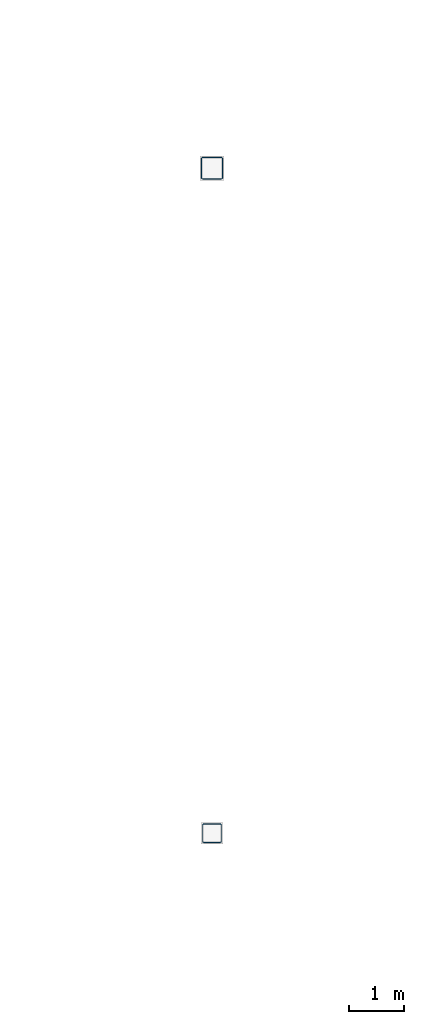
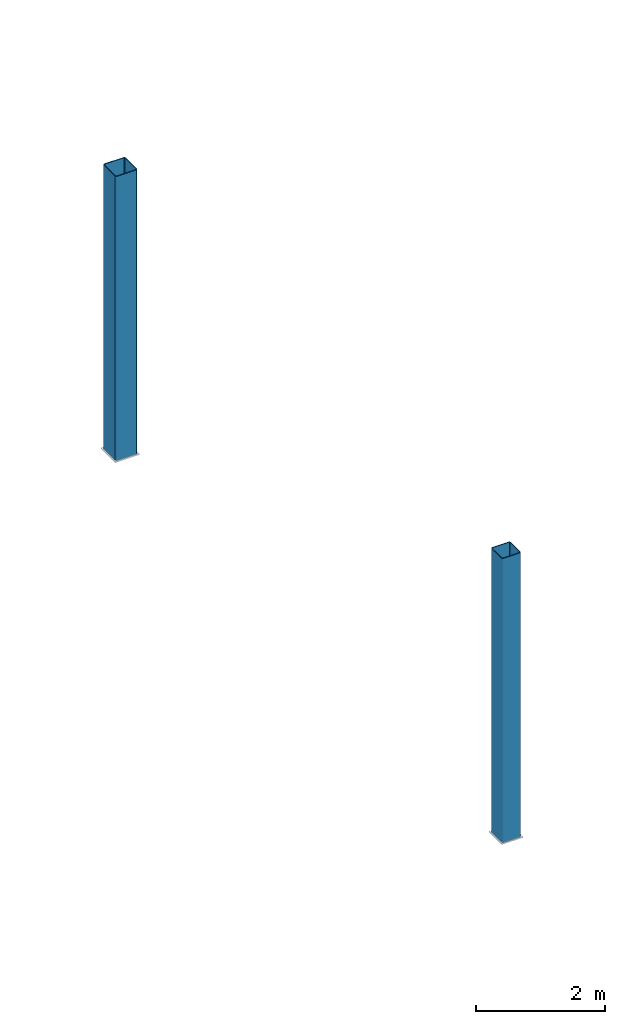
# One storey, part 8 of 76: 2 columns.
"""IFC4 building model written with IfcOpenShell, lengths in metres."""

from ifc_helpers import new_model, si_unit, direction, frame, origin, origin_2d, place, context, subcontext, project, spatial, hollow_rectangle, extrude, material, material_profile, profile_set, type_object, element, save


model = new_model("IFC4")

# Units and contexts
model_context = context("Model", 3, precision=1e-05, world=origin(), true_north=direction((0.0, 1.0)))
body_context = subcontext(model_context, "Body", "Model", "MODEL_VIEW")
ifc_project = project(units=[si_unit("LENGTHUNIT", "METRE"), si_unit("AREAUNIT", "SQUARE_METRE"), si_unit("VOLUMEUNIT", "CUBIC_METRE"), si_unit("PLANEANGLEUNIT", "RADIAN"), si_unit("MASSUNIT", "GRAM", prefix="KILO")], contexts=[model_context])

# Site, building, storey
site_placement = place(None, origin())
site = spatial("IfcSite", under=ifc_project, at=site_placement, CompositionType="ELEMENT")
building_placement = place(site_placement, origin())
building = spatial("IfcBuilding", under=site, at=building_placement, Name="Kazenohara Klinker Stadium", CompositionType="ELEMENT")
storey_placement = place(building_placement, frame((0.0, 0.0, 25.800048828125)))
storey = spatial("IfcBuildingStorey", under=building, at=storey_placement, Name="L05", CompositionType="ELEMENT", Elevation=25.800048828125)

# Columns
ifc_material = material(Name="Steel S355", Category="steel")
ifc_material_profile_1 = material_profile(ifc_material, hollow_rectangle(XDim=0.39990234375, YDim=0.39990234375, WallThickness=0.01611328125, InnerFilletRadius=0.01611328125, OuterFilletRadius=0.031982421875, at=origin_2d()), Name="SHS-400x400x16")
ifc_profile_set_1 = profile_set([ifc_material_profile_1], Name="Steel S355")
column_type_1 = type_object("IfcColumnType", Name="COL-ST01", PredefinedType="COLUMN", material=ifc_profile_set_1)
column_1_placement = place(storey_placement, frame((49.0, 96.0, 0.0), z_axis=(0.0, 0.0, 1.0), x_axis=(1.0, 0.0, 0.0)))
element("IfcColumn", 1, at=column_1_placement, inside=storey, type_object=column_type_1, Name="Canopy ring support column SC01 L05 5/J", PredefinedType="COLUMN", context=body_context, shape_type="SweptSolid", body=[
    extrude(hollow_rectangle(XDim=0.39990234375, YDim=0.39990234375, WallThickness=0.01611328125, InnerFilletRadius=0.01611328125, OuterFilletRadius=0.031982421875, at=origin_2d()), origin(), (0.0, 0.0, 1.0), 5.39990234375),
])
ifc_material_profile_2 = material_profile(ifc_material, hollow_rectangle(XDim=0.35009765625, YDim=0.35009765625, WallThickness=0.01611328125, InnerFilletRadius=0.01611328125, OuterFilletRadius=0.031982421875, at=origin_2d()), Name="SHS-350x350x16")
ifc_profile_set_2 = profile_set([ifc_material_profile_2], Name="Steel S355")
column_type_2 = type_object("IfcColumnType", Name="COL-ST02", PredefinedType="COLUMN", material=ifc_profile_set_2)
column_2_placement = place(storey_placement, frame((49.0, 84.0, 0.0), z_axis=(0.0, 0.0, 1.0), x_axis=(1.0, 0.0, 0.0)))
element("IfcColumn", 2, at=column_2_placement, inside=storey, type_object=column_type_2, Name="Canopy ring support column SC02 L05 5/H", PredefinedType="COLUMN", context=body_context, shape_type="SweptSolid", body=[
    extrude(hollow_rectangle(XDim=0.35009765625, YDim=0.35009765625, WallThickness=0.01611328125, InnerFilletRadius=0.01611328125, OuterFilletRadius=0.031982421875, at=origin_2d()), origin(), (0.0, 0.0, 1.0), 5.39990234375),
])

save(model, "model.ifc")
